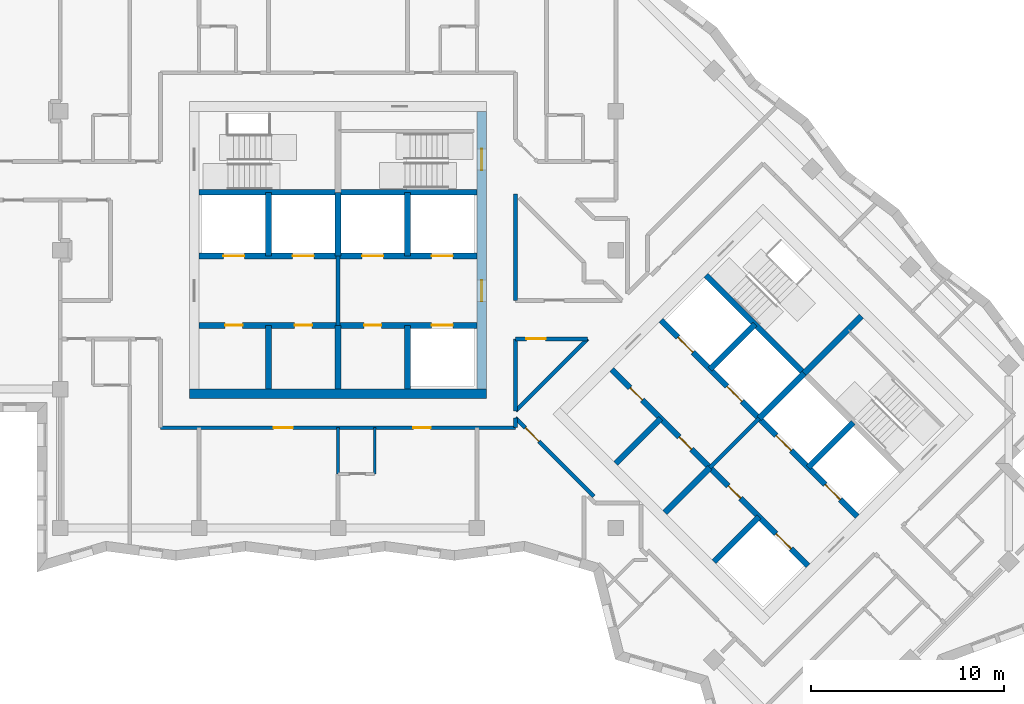
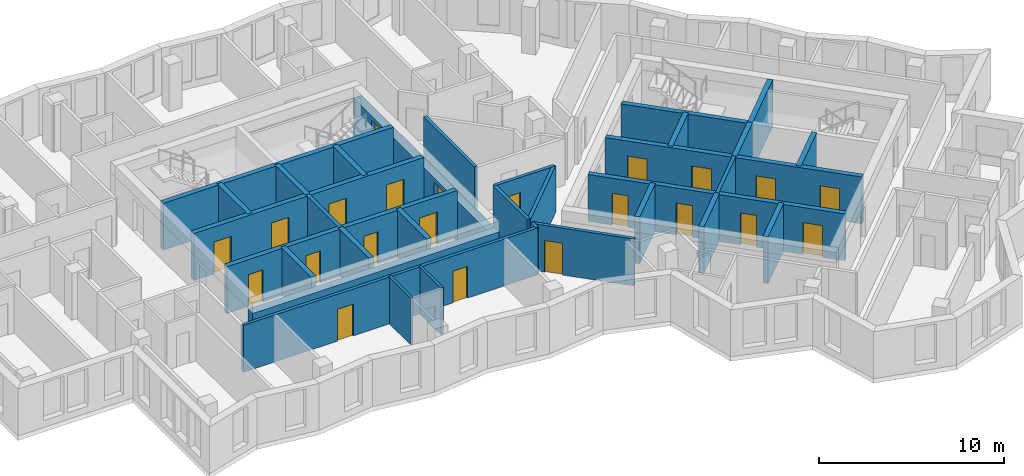
# One storey, part 4 of 12: 33 walls, 22 doors, 22 openings.
"""IFC4 building model written with IfcOpenShell, lengths in metres."""

from ifc_helpers import new_model, si_unit, direction, frame, frame_2d, origin, place, context, subcontext, project, spatial, rectangle, extrude, material, layer, layer_set, type_object, element, fill, save


model = new_model("IFC4")

# Units and contexts
model_context = context("Model", 3, precision=1e-05, world=origin(), true_north=direction((0.0, 1.0)))
body_context = subcontext(model_context, "Body", "Model", "MODEL_VIEW")
ifc_project = project(units=[si_unit("LENGTHUNIT", "METRE"), si_unit("AREAUNIT", "SQUARE_METRE"), si_unit("VOLUMEUNIT", "CUBIC_METRE"), si_unit("PLANEANGLEUNIT", "RADIAN"), si_unit("MASSUNIT", "GRAM", prefix="KILO")], contexts=[model_context])

# Site, building, storey
site_placement = place(None, origin())
site = spatial("IfcSite", under=ifc_project, at=site_placement, CompositionType="ELEMENT")
building_placement = place(site_placement, origin())
building = spatial("IfcBuilding", under=site, at=building_placement, Name="Windrow Commons", CompositionType="ELEMENT")
storey_placement = place(building_placement, frame((0.0, 0.0, 210.0)))
storey = spatial("IfcBuildingStorey", under=building, at=storey_placement, Name="L57", CompositionType="ELEMENT", Elevation=210.0)

# Walls
ifc_material_1 = material(Name="Blockwork partition", Category="masonry")
ifc_layer_1 = layer(ifc_material_1, 0.2)
ifc_layer_set_1 = layer_set([ifc_layer_1], Name="Fire lobby partition 200")
wall_type_1 = type_object("IfcWallType", Name="Fire lobby partition 200", PredefinedType="PARTITIONING", material=ifc_layer_set_1)
for number, where, z_axis, x_axis, name in (
    (1, (64.8, 53.7, 0.0), (0.0, 0.0, 1.0), (0.0, 1.0, 0.0), "W-core-lobby-A-L57"),
    (2, (84.079, 46.332, 0.0), (0.0, 0.0, 1.0), (0.7071067812, 0.7071067812, 0.0), "W-core-lobby-B-L57"),
):
    element("IfcWall", number, at=place(storey_placement, frame(where, z_axis=z_axis, x_axis=x_axis)), inside=storey, type_object=wall_type_1, Name=name, PredefinedType="PARTITIONING", context=body_context, shape_type="SweptSolid", body=[
        extrude(rectangle(XDim=3.6, YDim=0.2, at=frame_2d((1.8, 0.0))), origin(), (0.0, 0.0, 1.0), 3.1),
    ])

# Wall, openings, doors
ifc_material_2 = material(Name="Blockwork partition", Category="masonry")
ifc_layer_2 = layer(ifc_material_2, 0.2)
ifc_layer_set_2 = layer_set([ifc_layer_2], Name="IW-CORRIDOR-200")
wall_type_2 = type_object("IfcWallType", Name="IW-CORRIDOR-200", PredefinedType="PARTITIONING", material=ifc_layer_set_2)
wall_1_placement = place(storey_placement, frame((55.6, 48.4, 0.0), z_axis=(0.0, 0.0, 1.0), x_axis=(1.0, 0.0, 0.0)))
wall_1 = element("IfcWall", 3, at=wall_1_placement, inside=storey, type_object=wall_type_2, Name="W-L57-W000", PredefinedType="PARTITIONING", context=body_context, shape_type="SweptSolid", body=[
    extrude(rectangle(XDim=18.4, YDim=0.2, at=frame_2d((9.2, 0.0))), origin(), (0.0, 0.0, 1.0), 3.1),
])
opening_1_placement = place(wall_1_placement, frame((5.8625, 0.0, 0.0)))
opening_1 = element("IfcOpeningElement", 4, at=opening_1_placement, cuts=wall_1, Name="Opening D310F", PredefinedType="OPENING", context=body_context, shape_type="SweptSolid", body=[
    extrude(rectangle(XDim=1.0, YDim=2.1, at=frame_2d((0.5, 1.05))), frame((0.0, 0.11, 0.0), z_axis=(0.0, -1.0, 0.0), x_axis=(1.0, 0.0, 0.0)), (0.0, 0.0, 1.0), 0.22),
])
opening_2_placement = place(wall_1_placement, frame((13.0994, 0.0, 0.0)))
opening_2 = element("IfcOpeningElement", 5, at=opening_2_placement, cuts=wall_1, Name="Opening D109F", PredefinedType="OPENING", context=body_context, shape_type="SweptSolid", body=[
    extrude(rectangle(XDim=0.9, YDim=2.1, at=frame_2d((0.45, 1.05))), frame((0.0, 0.11, 0.0), z_axis=(0.0, -1.0, 0.0), x_axis=(1.0, 0.0, 0.0)), (0.0, 0.0, 1.0), 0.22),
])
ifc_material_3 = material(Name="Timber door leaf", Category="wood")
door_type_1 = type_object("IfcDoorType", Name="DT-AMENITY-1000", OperationType="SINGLE_SWING_LEFT", PredefinedType="DOOR", material=ifc_material_3)
door_1_placement = place(opening_1_placement, origin())
door_1 = element("IfcDoor", 6, at=door_1_placement, inside=storey, type_object=door_type_1, Name="D-L57-D030", OperationType="SINGLE_SWING_LEFT", OverallHeight=2.1, OverallWidth=1.0, PredefinedType="DOOR", context=body_context, shape_type="SweptSolid", body=[
    extrude(rectangle(XDim=1.0, YDim=2.1, at=frame_2d((0.5, 1.05))), frame((0.0, 0.025, 0.0), z_axis=(0.0, -1.0, 0.0), x_axis=(1.0, 0.0, 0.0)), (0.0, 0.0, 1.0), 0.05),
])
fill(opening_1, door_1)
ifc_material_4 = material(Name="Timber door leaf", Category="wood")
door_type_2 = type_object("IfcDoorType", Name="DT-BEDROOM-900", OperationType="SINGLE_SWING_LEFT", PredefinedType="DOOR", material=ifc_material_4)
door_2_placement = place(opening_2_placement, origin())
door_2 = element("IfcDoor", 7, at=door_2_placement, inside=storey, type_object=door_type_2, Name="D-L57-D031", OperationType="SINGLE_SWING_LEFT", OverallHeight=2.1, OverallWidth=0.9, PredefinedType="DOOR", context=body_context, shape_type="SweptSolid", body=[
    extrude(rectangle(XDim=0.9, YDim=2.1, at=frame_2d((0.45, 1.05))), frame((0.0, 0.025, 0.0), z_axis=(0.0, -1.0, 0.0), x_axis=(1.0, 0.0, 0.0)), (0.0, 0.0, 1.0), 0.05),
])
fill(opening_2, door_2)

# Wall, opening, door
wall_2_placement = place(storey_placement, frame((73.9987, 48.9107, 0.0), z_axis=(0.0, 0.0, 1.0), x_axis=(0.7071067812, -0.7071067812, 0.0)))
wall_2 = element("IfcWall", 8, at=wall_2_placement, inside=storey, type_object=wall_type_2, Name="W-L57-W027", PredefinedType="PARTITIONING", context=body_context, shape_type="SweptSolid", body=[
    extrude(rectangle(XDim=5.7445, YDim=0.2, at=frame_2d((2.8723, 0.0))), origin(), (0.0, 0.0, 1.0), 3.1),
])
opening_3_placement = place(wall_2_placement, frame((0.7238, 0.0, 0.0)))
opening_3 = element("IfcOpeningElement", 9, at=opening_3_placement, cuts=wall_2, Name="Opening D310F", PredefinedType="OPENING", context=body_context, shape_type="SweptSolid", body=[
    extrude(rectangle(XDim=1.0, YDim=2.1, at=frame_2d((0.5, 1.05))), frame((0.0, 0.11, 0.0), z_axis=(0.0, -1.0, 0.0), x_axis=(1.0, 0.0, 0.0)), (0.0, 0.0, 1.0), 0.22),
])
door_3_placement = place(opening_3_placement, origin())
door_3 = element("IfcDoor", 10, at=door_3_placement, inside=storey, type_object=door_type_1, Name="D-L57-D033", OperationType="SINGLE_SWING_LEFT", OverallHeight=2.1, OverallWidth=1.0, PredefinedType="DOOR", context=body_context, shape_type="SweptSolid", body=[
    extrude(rectangle(XDim=1.0, YDim=2.1, at=frame_2d((0.5, 1.05))), frame((0.0, 0.025, 0.0), z_axis=(0.0, -1.0, 0.0), x_axis=(1.0, 0.0, 0.0)), (0.0, 0.0, 1.0), 0.05),
])
fill(opening_3, door_3)

# Walls
wall_3_placement = place(storey_placement, frame((74.0, 55.002, 0.0), z_axis=(0.0, 0.0, 1.0), x_axis=(0.0, 1.0, 0.0)))
element("IfcWall", 11, at=wall_3_placement, inside=storey, type_object=wall_type_2, Name="W-L57-W030", PredefinedType="PARTITIONING", context=body_context, shape_type="SweptSolid", body=[
    extrude(rectangle(XDim=5.508, YDim=0.2, at=frame_2d((2.754, 0.0))), origin(), (0.0, 0.0, 1.0), 3.1),
])
wall_4_placement = place(storey_placement, frame((74.0013, 49.2667, 0.0), z_axis=(0.0, 0.0, 1.0), x_axis=(0.7071067812, 0.7071067812, 0.0)))
element("IfcWall", 12, at=wall_4_placement, inside=storey, type_object=wall_type_2, Name="W-L57-W031", PredefinedType="PARTITIONING", context=body_context, shape_type="SweptSolid", body=[
    extrude(rectangle(XDim=5.2778, YDim=0.2, at=frame_2d((2.6389, 0.0))), origin(), (0.0, 0.0, 1.0), 3.1),
])
wall_5_placement = place(storey_placement, frame((74.0, 49.266, 0.0), z_axis=(0.0, 0.0, 1.0), x_axis=(0.0, 1.0, 0.0)))
element("IfcWall", 13, at=wall_5_placement, inside=storey, type_object=wall_type_2, Name="W-L57-W046", PredefinedType="PARTITIONING", context=body_context, shape_type="SweptSolid", body=[
    extrude(rectangle(XDim=3.734, YDim=0.2, at=frame_2d((1.867, 0.0))), origin(), (0.0, 0.0, 1.0), 3.1),
])

# Wall, opening, door
wall_6_placement = place(storey_placement, frame((74.002, 53.0, 0.0), z_axis=(0.0, 0.0, 1.0), x_axis=(1.0, 0.0, 0.0)))
wall_6 = element("IfcWall", 14, at=wall_6_placement, inside=storey, type_object=wall_type_2, Name="W-L57-W047", PredefinedType="PARTITIONING", context=body_context, shape_type="SweptSolid", body=[
    extrude(rectangle(XDim=3.732, YDim=0.2, at=frame_2d((1.866, 0.0))), origin(), (0.0, 0.0, 1.0), 3.1),
])
opening_4_placement = place(wall_6_placement, frame((0.5641, 0.0, 0.0)))
opening_4 = element("IfcOpeningElement", 15, at=opening_4_placement, cuts=wall_6, Name="Opening D410F", PredefinedType="OPENING", context=body_context, shape_type="SweptSolid", body=[
    extrude(rectangle(XDim=1.0, YDim=2.1, at=frame_2d((0.5, 1.05))), frame((0.0, 0.11, 0.0), z_axis=(0.0, -1.0, 0.0), x_axis=(1.0, 0.0, 0.0)), (0.0, 0.0, 1.0), 0.22),
])
ifc_material_5 = material(Name="Timber door leaf", Category="wood")
door_type_3 = type_object("IfcDoorType", Name="DT-SERVICE-1000", OperationType="SINGLE_SWING_LEFT", PredefinedType="DOOR", material=ifc_material_5)
door_4_placement = place(opening_4_placement, origin())
door_4 = element("IfcDoor", 16, at=door_4_placement, inside=storey, type_object=door_type_3, Name="D-L57-D000", OperationType="SINGLE_SWING_RIGHT", OverallHeight=2.1, OverallWidth=1.0, PredefinedType="DOOR", context=body_context, shape_type="SweptSolid", body=[
    extrude(rectangle(XDim=1.0, YDim=2.1, at=frame_2d((0.5, 1.05))), frame((0.0, 0.025, 0.0), z_axis=(0.0, -1.0, 0.0), x_axis=(1.0, 0.0, 0.0)), (0.0, 0.0, 1.0), 0.05),
])
fill(opening_4, door_4)

# Walls
wall_7_placement = place(storey_placement, frame((74.0, 48.4, 0.0), z_axis=(0.0, 0.0, 1.0), x_axis=(0.0, 1.0, 0.0)))
element("IfcWall", 17, at=wall_7_placement, inside=storey, type_object=wall_type_2, Name="W-L57-W139", PredefinedType="PARTITIONING", context=body_context, shape_type="SweptSolid", body=[
    extrude(rectangle(XDim=0.514, YDim=0.2, at=frame_2d((0.257, 0.0))), origin(), (0.0, 0.0, 1.0), 3.1),
])
ifc_material_6 = material(Name="Blockwork partition", Category="masonry")
ifc_layer_3 = layer(ifc_material_6, 0.15)
ifc_layer_set_3 = layer_set([ifc_layer_3], Name="IW-ENSUITE-150")
wall_type_3 = type_object("IfcWallType", Name="IW-ENSUITE-150", PredefinedType="PARTITIONING", material=ifc_layer_set_3)
for number, where, z_axis, x_axis, name in (
    (18, (66.7, 46.0, 0.0), (0.0, 0.0, 1.0), (0.0, 1.0, 0.0), "W-L57-W071"),
    (19, (64.8, 46.0, 0.0), (0.0, 0.0, 1.0), (0.0, 1.0, 0.0), "W-L57-W072"),
):
    element("IfcWall", number, at=place(storey_placement, frame(where, z_axis=z_axis, x_axis=x_axis)), inside=storey, type_object=wall_type_3, Name=name, PredefinedType="PARTITIONING", context=body_context, shape_type="SweptSolid", body=[
        extrude(rectangle(XDim=2.4, YDim=0.15, at=frame_2d((1.2, 0.0))), origin(), (0.0, 0.0, 1.0), 3.1),
    ])
ifc_material_7 = material(Name="Concrete C40/50", Category="concrete")
ifc_layer_4 = layer(ifc_material_7, 0.5)
ifc_layer_set_4 = layer_set([ifc_layer_4], Name="RC CORE WALL 500 C40/50")
wall_type_4 = type_object("IfcWallType", Name="RC CORE WALL 500 C40/50", PredefinedType="SHEAR", material=ifc_layer_set_4)
wall_8_placement = place(storey_placement, frame((57.1, 50.15, -0.3), z_axis=(0.0, 0.0, 1.0), x_axis=(1.0, 0.0, 0.0)))
element("IfcWall", 20, at=wall_8_placement, inside=storey, type_object=wall_type_4, Name="Core A wall outer-S", PredefinedType="SHEAR", context=body_context, shape_type="SweptSolid", body=[
    extrude(rectangle(XDim=15.4, YDim=0.5, at=frame_2d((7.7, 0.0))), origin(), (0.0, 0.0, 1.0), 2.7),
])

# Wall, openings, doors
wall_9_placement = place(storey_placement, frame((72.25, 50.4, -0.3), z_axis=(0.0, 0.0, 1.0), x_axis=(0.0, 1.0, 0.0)))
wall_9 = element("IfcWall", 21, at=wall_9_placement, inside=storey, type_object=wall_type_4, Name="Core A wall outer-E", PredefinedType="SHEAR", context=body_context, shape_type="SweptSolid", body=[
    extrude(rectangle(XDim=14.4, YDim=0.5, at=frame_2d((7.2, 0.0))), origin(), (0.0, 0.0, 1.0), 2.7),
])
opening_5_placement = place(wall_9_placement, frame((4.55, 0.0, 0.3)))
opening_5 = element("IfcOpeningElement", 22, at=opening_5_placement, cuts=wall_9, Name="Opening D6", PredefinedType="OPENING", context=body_context, shape_type="SweptSolid", body=[
    extrude(rectangle(XDim=1.1, YDim=2.1, at=frame_2d((0.55, 1.05))), frame((0.0, 0.26, 0.0), z_axis=(0.0, -1.0, 0.0), x_axis=(1.0, 0.0, 0.0)), (0.0, 0.0, 1.0), 0.52),
])
opening_6_placement = place(wall_9_placement, frame((11.35, 0.0, 0.3)))
opening_6 = element("IfcOpeningElement", 23, at=opening_6_placement, cuts=wall_9, Name="Opening D7", PredefinedType="OPENING", context=body_context, shape_type="SweptSolid", body=[
    extrude(rectangle(XDim=1.1, YDim=2.1, at=frame_2d((0.55, 1.05))), frame((0.0, 0.26, 0.0), z_axis=(0.0, -1.0, 0.0), x_axis=(1.0, 0.0, 0.0)), (0.0, 0.0, 1.0), 0.52),
])
ifc_material_8 = material(Name="Steel fire door leaf", Category="steel")
door_type_4 = type_object("IfcDoorType", Name="Core lobby door 1100", OperationType="SINGLE_SWING_LEFT", PredefinedType="DOOR", material=ifc_material_8)
door_5_placement = place(opening_5_placement, origin())
door_5 = element("IfcDoor", 24, at=door_5_placement, inside=storey, type_object=door_type_4, Name="Lift lobby door", OperationType="DOUBLE_DOOR_SINGLE_SWING", OverallHeight=2.1, OverallWidth=1.1, PredefinedType="DOOR", context=body_context, shape_type="SweptSolid", body=[
    extrude(rectangle(XDim=1.1, YDim=2.1, at=frame_2d((0.55, 1.05))), frame((0.0, 0.025, 0.0), z_axis=(0.0, -1.0, 0.0), x_axis=(1.0, 0.0, 0.0)), (0.0, 0.0, 1.0), 0.05),
])
fill(opening_5, door_5)
ifc_material_9 = material(Name="Steel fire door leaf", Category="steel")
door_type_5 = type_object("IfcDoorType", Name="Stair door 1100", OperationType="SINGLE_SWING_LEFT", PredefinedType="DOOR", material=ifc_material_9)
door_6_placement = place(opening_6_placement, origin())
door_6 = element("IfcDoor", 25, at=door_6_placement, inside=storey, type_object=door_type_5, Name="Stair door", OperationType="SINGLE_SWING_RIGHT", OverallHeight=2.1, OverallWidth=1.1, PredefinedType="DOOR", context=body_context, shape_type="SweptSolid", body=[
    extrude(rectangle(XDim=1.1, YDim=2.1, at=frame_2d((0.55, 1.05))), frame((0.0, 0.025, 0.0), z_axis=(0.0, -1.0, 0.0), x_axis=(1.0, 0.0, 0.0)), (0.0, 0.0, 1.0), 0.05),
])
fill(opening_6, door_6)

# Walls
ifc_material_10 = material(Name="Concrete C40/50", Category="concrete")
ifc_layer_5 = layer(ifc_material_10, 0.3)
ifc_layer_set_5 = layer_set([ifc_layer_5], Name="RC SHAFT WALL 300 C40/50")
wall_type_5 = type_object("IfcWallType", Name="RC SHAFT WALL 300 C40/50", PredefinedType="SOLIDWALL", material=ifc_layer_set_5)
for number, where, z_axis, x_axis, name in (
    (26, (61.2, 50.4, 0.0), (0.0, 0.0, 1.0), (0.0, 1.0, 0.0), "Core A wall shaft-S1"),
    (27, (61.2, 57.3, 0.0), (0.0, 0.0, 1.0), (0.0, 1.0, 0.0), "Core A wall shaft-N1"),
    (28, (64.8, 50.4, 0.0), (0.0, 0.0, 1.0), (0.0, 1.0, 0.0), "Core A wall shaft-S2"),
    (29, (64.8, 57.3, 0.0), (0.0, 0.0, 1.0), (0.0, 1.0, 0.0), "Core A wall shaft-N2"),
    (30, (68.4, 50.4, 0.0), (0.0, 0.0, 1.0), (0.0, 1.0, 0.0), "Core A wall shaft-S3"),
    (31, (68.4, 57.3, 0.0), (0.0, 0.0, 1.0), (0.0, 1.0, 0.0), "Core A wall shaft-N3"),
):
    element("IfcWall", number, at=place(storey_placement, frame(where, z_axis=z_axis, x_axis=x_axis)), inside=storey, type_object=wall_type_5, Name=name, PredefinedType="SOLIDWALL", context=body_context, shape_type="SweptSolid", body=[
        extrude(rectangle(XDim=3.3, YDim=0.3, at=frame_2d((1.65, 0.0))), origin(), (0.0, 0.0, 1.0), 3.1),
    ])

# Wall, openings, doors
wall_10_placement = place(storey_placement, frame((57.6, 53.7, 0.0), z_axis=(0.0, 0.0, 1.0), x_axis=(1.0, 0.0, 0.0)))
wall_10 = element("IfcWall", 32, at=wall_10_placement, inside=storey, type_object=wall_type_5, Name="Core A wall lobby-S", PredefinedType="SOLIDWALL", context=body_context, shape_type="SweptSolid", body=[
    extrude(rectangle(XDim=14.4, YDim=0.3, at=frame_2d((7.2, 0.0))), origin(), (0.0, 0.0, 1.0), 3.1),
])
opening_7_placement = place(wall_10_placement, frame((1.35, 0.0, 0.0)))
opening_7 = element("IfcOpeningElement", 33, at=opening_7_placement, cuts=wall_10, Name="Opening D8", PredefinedType="OPENING", context=body_context, shape_type="SweptSolid", body=[
    extrude(rectangle(XDim=0.9, YDim=2.1, at=frame_2d((0.45, 1.05))), frame((0.0, 0.16, 0.0), z_axis=(0.0, -1.0, 0.0), x_axis=(1.0, 0.0, 0.0)), (0.0, 0.0, 1.0), 0.32),
])
opening_8_placement = place(wall_10_placement, frame((4.95, 0.0, 0.0)))
opening_8 = element("IfcOpeningElement", 34, at=opening_8_placement, cuts=wall_10, Name="Opening D8", PredefinedType="OPENING", context=body_context, shape_type="SweptSolid", body=[
    extrude(rectangle(XDim=0.9, YDim=2.1, at=frame_2d((0.45, 1.05))), frame((0.0, 0.16, 0.0), z_axis=(0.0, -1.0, 0.0), x_axis=(1.0, 0.0, 0.0)), (0.0, 0.0, 1.0), 0.32),
])
opening_9_placement = place(wall_10_placement, frame((8.55, 0.0, 0.0)))
opening_9 = element("IfcOpeningElement", 35, at=opening_9_placement, cuts=wall_10, Name="Opening D8", PredefinedType="OPENING", context=body_context, shape_type="SweptSolid", body=[
    extrude(rectangle(XDim=0.9, YDim=2.1, at=frame_2d((0.45, 1.05))), frame((0.0, 0.16, 0.0), z_axis=(0.0, -1.0, 0.0), x_axis=(1.0, 0.0, 0.0)), (0.0, 0.0, 1.0), 0.32),
])
opening_10_placement = place(wall_10_placement, frame((12.05, 0.0, 0.0)))
opening_10 = element("IfcOpeningElement", 36, at=opening_10_placement, cuts=wall_10, Name="Opening LD", PredefinedType="OPENING", context=body_context, shape_type="SweptSolid", body=[
    extrude(rectangle(XDim=1.1, YDim=2.1, at=frame_2d((0.55, 1.05))), frame((0.0, 0.16, 0.0), z_axis=(0.0, -1.0, 0.0), x_axis=(1.0, 0.0, 0.0)), (0.0, 0.0, 1.0), 0.32),
])
ifc_material_11 = material(Name="Steel fire door leaf", Category="steel")
door_type_6 = type_object("IfcDoorType", Name="Core store door 900", OperationType="SINGLE_SWING_LEFT", PredefinedType="DOOR", material=ifc_material_11)
door_7_placement = place(opening_7_placement, origin())
door_7 = element("IfcDoor", 37, at=door_7_placement, inside=storey, type_object=door_type_6, Name="Store door", OperationType="SINGLE_SWING_LEFT", OverallHeight=2.1, OverallWidth=0.9, PredefinedType="DOOR", context=body_context, shape_type="SweptSolid", body=[
    extrude(rectangle(XDim=0.9, YDim=2.1, at=frame_2d((0.45, 1.05))), frame((0.0, 0.025, 0.0), z_axis=(0.0, -1.0, 0.0), x_axis=(1.0, 0.0, 0.0)), (0.0, 0.0, 1.0), 0.05),
])
fill(opening_7, door_7)
door_8_placement = place(opening_8_placement, origin())
door_8 = element("IfcDoor", 38, at=door_8_placement, inside=storey, type_object=door_type_6, Name="Store door", OperationType="SINGLE_SWING_LEFT", OverallHeight=2.1, OverallWidth=0.9, PredefinedType="DOOR", context=body_context, shape_type="SweptSolid", body=[
    extrude(rectangle(XDim=0.9, YDim=2.1, at=frame_2d((0.45, 1.05))), frame((0.0, 0.025, 0.0), z_axis=(0.0, -1.0, 0.0), x_axis=(1.0, 0.0, 0.0)), (0.0, 0.0, 1.0), 0.05),
])
fill(opening_8, door_8)
door_9_placement = place(opening_9_placement, origin())
door_9 = element("IfcDoor", 39, at=door_9_placement, inside=storey, type_object=door_type_6, Name="Store door", OperationType="SINGLE_SWING_LEFT", OverallHeight=2.1, OverallWidth=0.9, PredefinedType="DOOR", context=body_context, shape_type="SweptSolid", body=[
    extrude(rectangle(XDim=0.9, YDim=2.1, at=frame_2d((0.45, 1.05))), frame((0.0, 0.025, 0.0), z_axis=(0.0, -1.0, 0.0), x_axis=(1.0, 0.0, 0.0)), (0.0, 0.0, 1.0), 0.05),
])
fill(opening_9, door_9)
ifc_material_12 = material(Name="Stainless steel door leaf", Category="steel")
door_type_7 = type_object("IfcDoorType", Name="Lift landing door 1100", OperationType="SLIDING_TO_LEFT", PredefinedType="DOOR", material=ifc_material_12)
door_10_placement = place(opening_10_placement, origin())
door_10 = element("IfcDoor", 40, at=door_10_placement, inside=storey, type_object=door_type_7, Name="Lift landing door", OperationType="SLIDING_TO_RIGHT", OverallHeight=2.1, OverallWidth=1.1, PredefinedType="DOOR", context=body_context, shape_type="SweptSolid", body=[
    extrude(rectangle(XDim=1.1, YDim=2.1, at=frame_2d((0.55, 1.05))), frame((0.0, 0.025, 0.0), z_axis=(0.0, -1.0, 0.0), x_axis=(1.0, 0.0, 0.0)), (0.0, 0.0, 1.0), 0.05),
])
fill(opening_10, door_10)

wall_11_placement = place(storey_placement, frame((57.6, 57.3, 0.0), z_axis=(0.0, 0.0, 1.0), x_axis=(1.0, 0.0, 0.0)))
wall_11 = element("IfcWall", 41, at=wall_11_placement, inside=storey, type_object=wall_type_5, Name="Core A wall lobby-N", PredefinedType="SOLIDWALL", context=body_context, shape_type="SweptSolid", body=[
    extrude(rectangle(XDim=14.4, YDim=0.3, at=frame_2d((7.2, 0.0))), origin(), (0.0, 0.0, 1.0), 3.1),
])
opening_11_placement = place(wall_11_placement, frame((1.25, 0.0, 0.0)))
opening_11 = element("IfcOpeningElement", 42, at=opening_11_placement, cuts=wall_11, Name="Opening LD", PredefinedType="OPENING", context=body_context, shape_type="SweptSolid", body=[
    extrude(rectangle(XDim=1.1, YDim=2.1, at=frame_2d((0.55, 1.05))), frame((0.0, 0.16, 0.0), z_axis=(0.0, -1.0, 0.0), x_axis=(1.0, 0.0, 0.0)), (0.0, 0.0, 1.0), 0.32),
])
opening_12_placement = place(wall_11_placement, frame((4.85, 0.0, 0.0)))
opening_12 = element("IfcOpeningElement", 43, at=opening_12_placement, cuts=wall_11, Name="Opening LD", PredefinedType="OPENING", context=body_context, shape_type="SweptSolid", body=[
    extrude(rectangle(XDim=1.1, YDim=2.1, at=frame_2d((0.55, 1.05))), frame((0.0, 0.16, 0.0), z_axis=(0.0, -1.0, 0.0), x_axis=(1.0, 0.0, 0.0)), (0.0, 0.0, 1.0), 0.32),
])
opening_13_placement = place(wall_11_placement, frame((8.45, 0.0, 0.0)))
opening_13 = element("IfcOpeningElement", 44, at=opening_13_placement, cuts=wall_11, Name="Opening LD", PredefinedType="OPENING", context=body_context, shape_type="SweptSolid", body=[
    extrude(rectangle(XDim=1.1, YDim=2.1, at=frame_2d((0.55, 1.05))), frame((0.0, 0.16, 0.0), z_axis=(0.0, -1.0, 0.0), x_axis=(1.0, 0.0, 0.0)), (0.0, 0.0, 1.0), 0.32),
])
opening_14_placement = place(wall_11_placement, frame((12.05, 0.0, 0.0)))
opening_14 = element("IfcOpeningElement", 45, at=opening_14_placement, cuts=wall_11, Name="Opening LD", PredefinedType="OPENING", context=body_context, shape_type="SweptSolid", body=[
    extrude(rectangle(XDim=1.1, YDim=2.1, at=frame_2d((0.55, 1.05))), frame((0.0, 0.16, 0.0), z_axis=(0.0, -1.0, 0.0), x_axis=(1.0, 0.0, 0.0)), (0.0, 0.0, 1.0), 0.32),
])
door_11_placement = place(opening_11_placement, origin())
door_11 = element("IfcDoor", 46, at=door_11_placement, inside=storey, type_object=door_type_7, Name="Lift landing door", OperationType="SLIDING_TO_LEFT", OverallHeight=2.1, OverallWidth=1.1, PredefinedType="DOOR", context=body_context, shape_type="SweptSolid", body=[
    extrude(rectangle(XDim=1.1, YDim=2.1, at=frame_2d((0.55, 1.05))), frame((0.0, 0.025, 0.0), z_axis=(0.0, -1.0, 0.0), x_axis=(1.0, 0.0, 0.0)), (0.0, 0.0, 1.0), 0.05),
])
fill(opening_11, door_11)
door_12_placement = place(opening_12_placement, origin())
door_12 = element("IfcDoor", 47, at=door_12_placement, inside=storey, type_object=door_type_7, Name="Lift landing door", OperationType="SLIDING_TO_RIGHT", OverallHeight=2.1, OverallWidth=1.1, PredefinedType="DOOR", context=body_context, shape_type="SweptSolid", body=[
    extrude(rectangle(XDim=1.1, YDim=2.1, at=frame_2d((0.55, 1.05))), frame((0.0, 0.025, 0.0), z_axis=(0.0, -1.0, 0.0), x_axis=(1.0, 0.0, 0.0)), (0.0, 0.0, 1.0), 0.05),
])
fill(opening_12, door_12)
door_13_placement = place(opening_13_placement, origin())
door_13 = element("IfcDoor", 48, at=door_13_placement, inside=storey, type_object=door_type_7, Name="Lift landing door", OperationType="SLIDING_TO_LEFT", OverallHeight=2.1, OverallWidth=1.1, PredefinedType="DOOR", context=body_context, shape_type="SweptSolid", body=[
    extrude(rectangle(XDim=1.1, YDim=2.1, at=frame_2d((0.55, 1.05))), frame((0.0, 0.025, 0.0), z_axis=(0.0, -1.0, 0.0), x_axis=(1.0, 0.0, 0.0)), (0.0, 0.0, 1.0), 0.05),
])
fill(opening_13, door_13)
door_14_placement = place(opening_14_placement, origin())
door_14 = element("IfcDoor", 49, at=door_14_placement, inside=storey, type_object=door_type_7, Name="Lift landing door", OperationType="SLIDING_TO_RIGHT", OverallHeight=2.1, OverallWidth=1.1, PredefinedType="DOOR", context=body_context, shape_type="SweptSolid", body=[
    extrude(rectangle(XDim=1.1, YDim=2.1, at=frame_2d((0.55, 1.05))), frame((0.0, 0.025, 0.0), z_axis=(0.0, -1.0, 0.0), x_axis=(1.0, 0.0, 0.0)), (0.0, 0.0, 1.0), 0.05),
])
fill(opening_14, door_14)

# Walls
for number, where, z_axis, x_axis, name in (
    (50, (57.6, 60.6, 0.0), (0.0, 0.0, 1.0), (1.0, 0.0, 0.0), "Core A wall stair-S"),
    (51, (64.8, 60.6, 0.0), (0.0, 0.0, 1.0), (1.0, 0.0, 0.0), "Core A wall stair-S2"),
):
    element("IfcWall", number, at=place(storey_placement, frame(where, z_axis=z_axis, x_axis=x_axis)), inside=storey, type_object=wall_type_5, Name=name, PredefinedType="SOLIDWALL", context=body_context, shape_type="SweptSolid", body=[
        extrude(rectangle(XDim=7.2, YDim=0.3, at=frame_2d((3.6, 0.0))), origin(), (0.0, 0.0, 1.0), 3.1),
    ])
for number, where, z_axis, x_axis, name in (
    (52, (79.2, 46.5442, 0.0), (0.0, 0.0, 1.0), (0.7071219326, 0.7070916295, 0.0), "Core B wall shaft-S1"),
    (53, (84.079, 51.4232, 0.0), (0.0, 0.0, 1.0), (0.7071219326, 0.7070916295, 0.0), "Core B wall shaft-N1"),
):
    element("IfcWall", number, at=place(storey_placement, frame(where, z_axis=z_axis, x_axis=x_axis)), inside=storey, type_object=wall_type_5, Name=name, PredefinedType="SOLIDWALL", context=body_context, shape_type="SweptSolid", body=[
        extrude(rectangle(XDim=3.3, YDim=0.3, at=frame_2d((1.65, 0.0))), origin(), (0.0, 0.0, 1.0), 3.1),
    ])
wall_12_placement = place(storey_placement, frame((81.7456, 43.9986, 0.0), z_axis=(0.0, 0.0, 1.0), x_axis=(0.7071067812, 0.7071067812, 0.0)))
element("IfcWall", 54, at=wall_12_placement, inside=storey, type_object=wall_type_5, Name="Core B wall shaft-S2", PredefinedType="SOLIDWALL", context=body_context, shape_type="SweptSolid", body=[
    extrude(rectangle(XDim=3.2999, YDim=0.3, at=frame_2d((1.65, 0.0))), origin(), (0.0, 0.0, 1.0), 3.1),
])
wall_13_placement = place(storey_placement, frame((86.6246, 48.8776, 0.0), z_axis=(0.0, 0.0, 1.0), x_axis=(0.7071067812, 0.7071067812, 0.0)))
element("IfcWall", 55, at=wall_13_placement, inside=storey, type_object=wall_type_5, Name="Core B wall shaft-N2", PredefinedType="SOLIDWALL", context=body_context, shape_type="SweptSolid", body=[
    extrude(rectangle(XDim=3.3001, YDim=0.3, at=frame_2d((1.6501, 0.0))), origin(), (0.0, 0.0, 1.0), 3.1),
])
wall_14_placement = place(storey_placement, frame((84.2912, 41.453, 0.0), z_axis=(0.0, 0.0, 1.0), x_axis=(0.7071067812, 0.7071067812, 0.0)))
element("IfcWall", 56, at=wall_14_placement, inside=storey, type_object=wall_type_5, Name="Core B wall shaft-S3", PredefinedType="SOLIDWALL", context=body_context, shape_type="SweptSolid", body=[
    extrude(rectangle(XDim=3.2999, YDim=0.3, at=frame_2d((1.65, 0.0))), origin(), (0.0, 0.0, 1.0), 3.1),
])
wall_15_placement = place(storey_placement, frame((89.1702, 46.332, 0.0), z_axis=(0.0, 0.0, 1.0), x_axis=(0.7071067812, 0.7071067812, 0.0)))
element("IfcWall", 57, at=wall_15_placement, inside=storey, type_object=wall_type_5, Name="Core B wall shaft-N3", PredefinedType="SOLIDWALL", context=body_context, shape_type="SweptSolid", body=[
    extrude(rectangle(XDim=3.3001, YDim=0.3, at=frame_2d((1.6501, 0.0))), origin(), (0.0, 0.0, 1.0), 3.1),
])

# Wall, openings, doors
wall_16_placement = place(storey_placement, frame((78.9879, 51.4232, 0.0), z_axis=(0.0, 0.0, 1.0), x_axis=(0.7071067812, -0.7071067812, 0.0)))
wall_16 = element("IfcWall", 58, at=wall_16_placement, inside=storey, type_object=wall_type_5, Name="Core B wall lobby-S", PredefinedType="SOLIDWALL", context=body_context, shape_type="SweptSolid", body=[
    extrude(rectangle(XDim=14.3999, YDim=0.3, at=frame_2d((7.2, 0.0))), origin(), (0.0, 0.0, 1.0), 3.1),
])
opening_15_placement = place(wall_16_placement, frame((1.35, 0.0, 0.0)))
opening_15 = element("IfcOpeningElement", 59, at=opening_15_placement, cuts=wall_16, Name="Opening D8", PredefinedType="OPENING", context=body_context, shape_type="SweptSolid", body=[
    extrude(rectangle(XDim=0.9, YDim=2.1, at=frame_2d((0.45, 1.05))), frame((0.0, 0.16, 0.0), z_axis=(0.0, -1.0, 0.0), x_axis=(1.0, 0.0, 0.0)), (0.0, 0.0, 1.0), 0.32),
])
opening_16_placement = place(wall_16_placement, frame((4.95, 0.0, 0.0)))
opening_16 = element("IfcOpeningElement", 60, at=opening_16_placement, cuts=wall_16, Name="Opening D8", PredefinedType="OPENING", context=body_context, shape_type="SweptSolid", body=[
    extrude(rectangle(XDim=0.9, YDim=2.1, at=frame_2d((0.45, 1.05))), frame((0.0, 0.16, 0.0), z_axis=(0.0, -1.0, 0.0), x_axis=(1.0, 0.0, 0.0)), (0.0, 0.0, 1.0), 0.32),
])
opening_17_placement = place(wall_16_placement, frame((8.55, 0.0, 0.0)))
opening_17 = element("IfcOpeningElement", 61, at=opening_17_placement, cuts=wall_16, Name="Opening D8", PredefinedType="OPENING", context=body_context, shape_type="SweptSolid", body=[
    extrude(rectangle(XDim=0.9, YDim=2.1, at=frame_2d((0.45, 1.05))), frame((0.0, 0.16, 0.0), z_axis=(0.0, -1.0, 0.0), x_axis=(1.0, 0.0, 0.0)), (0.0, 0.0, 1.0), 0.32),
])
opening_18_placement = place(wall_16_placement, frame((12.05, 0.0, 0.0)))
opening_18 = element("IfcOpeningElement", 62, at=opening_18_placement, cuts=wall_16, Name="Opening LD", PredefinedType="OPENING", context=body_context, shape_type="SweptSolid", body=[
    extrude(rectangle(XDim=1.1, YDim=2.1, at=frame_2d((0.55, 1.05))), frame((0.0, 0.16, 0.0), z_axis=(0.0, -1.0, 0.0), x_axis=(1.0, 0.0, 0.0)), (0.0, 0.0, 1.0), 0.32),
])
door_15_placement = place(opening_15_placement, origin())
door_15 = element("IfcDoor", 63, at=door_15_placement, inside=storey, type_object=door_type_6, Name="Store door", OperationType="SINGLE_SWING_LEFT", OverallHeight=2.1, OverallWidth=0.9, PredefinedType="DOOR", context=body_context, shape_type="SweptSolid", body=[
    extrude(rectangle(XDim=0.9, YDim=2.1, at=frame_2d((0.45, 1.05))), frame((0.0, 0.025, 0.0), z_axis=(0.0, -1.0, 0.0), x_axis=(1.0, 0.0, 0.0)), (0.0, 0.0, 1.0), 0.05),
])
fill(opening_15, door_15)
door_16_placement = place(opening_16_placement, origin())
door_16 = element("IfcDoor", 64, at=door_16_placement, inside=storey, type_object=door_type_6, Name="Store door", OperationType="SINGLE_SWING_LEFT", OverallHeight=2.1, OverallWidth=0.9, PredefinedType="DOOR", context=body_context, shape_type="SweptSolid", body=[
    extrude(rectangle(XDim=0.9, YDim=2.1, at=frame_2d((0.45, 1.05))), frame((0.0, 0.025, 0.0), z_axis=(0.0, -1.0, 0.0), x_axis=(1.0, 0.0, 0.0)), (0.0, 0.0, 1.0), 0.05),
])
fill(opening_16, door_16)
door_17_placement = place(opening_17_placement, origin())
door_17 = element("IfcDoor", 65, at=door_17_placement, inside=storey, type_object=door_type_6, Name="Store door", OperationType="SINGLE_SWING_LEFT", OverallHeight=2.1, OverallWidth=0.9, PredefinedType="DOOR", context=body_context, shape_type="SweptSolid", body=[
    extrude(rectangle(XDim=0.9, YDim=2.1, at=frame_2d((0.45, 1.05))), frame((0.0, 0.025, 0.0), z_axis=(0.0, -1.0, 0.0), x_axis=(1.0, 0.0, 0.0)), (0.0, 0.0, 1.0), 0.05),
])
fill(opening_17, door_17)
door_18_placement = place(opening_18_placement, origin())
door_18 = element("IfcDoor", 66, at=door_18_placement, inside=storey, type_object=door_type_7, Name="Lift landing door", OperationType="SLIDING_TO_RIGHT", OverallHeight=2.1, OverallWidth=1.1, PredefinedType="DOOR", context=body_context, shape_type="SweptSolid", body=[
    extrude(rectangle(XDim=1.1, YDim=2.1, at=frame_2d((0.55, 1.05))), frame((0.0, 0.025, 0.0), z_axis=(0.0, -1.0, 0.0), x_axis=(1.0, 0.0, 0.0)), (0.0, 0.0, 1.0), 0.05),
])
fill(opening_18, door_18)

wall_17_placement = place(storey_placement, frame((81.5335, 53.9688, 0.0), z_axis=(0.0, 0.0, 1.0), x_axis=(0.707103309, -0.7071102534, 0.0)))
wall_17 = element("IfcWall", 67, at=wall_17_placement, inside=storey, type_object=wall_type_5, Name="Core B wall lobby-N", PredefinedType="SOLIDWALL", context=body_context, shape_type="SweptSolid", body=[
    extrude(rectangle(XDim=14.4, YDim=0.3, at=frame_2d((7.2, 0.0))), origin(), (0.0, 0.0, 1.0), 3.1),
])
opening_19_placement = place(wall_17_placement, frame((1.25, 0.0, 0.0)))
opening_19 = element("IfcOpeningElement", 68, at=opening_19_placement, cuts=wall_17, Name="Opening LD", PredefinedType="OPENING", context=body_context, shape_type="SweptSolid", body=[
    extrude(rectangle(XDim=1.1, YDim=2.1, at=frame_2d((0.55, 1.05))), frame((0.0, 0.16, 0.0), z_axis=(0.0, -1.0, 0.0), x_axis=(1.0, 0.0, 0.0)), (0.0, 0.0, 1.0), 0.32),
])
opening_20_placement = place(wall_17_placement, frame((4.85, 0.0, 0.0)))
opening_20 = element("IfcOpeningElement", 69, at=opening_20_placement, cuts=wall_17, Name="Opening LD", PredefinedType="OPENING", context=body_context, shape_type="SweptSolid", body=[
    extrude(rectangle(XDim=1.1, YDim=2.1, at=frame_2d((0.55, 1.05))), frame((0.0, 0.16, 0.0), z_axis=(0.0, -1.0, 0.0), x_axis=(1.0, 0.0, 0.0)), (0.0, 0.0, 1.0), 0.32),
])
opening_21_placement = place(wall_17_placement, frame((8.45, 0.0, 0.0)))
opening_21 = element("IfcOpeningElement", 70, at=opening_21_placement, cuts=wall_17, Name="Opening LD", PredefinedType="OPENING", context=body_context, shape_type="SweptSolid", body=[
    extrude(rectangle(XDim=1.1, YDim=2.1, at=frame_2d((0.55, 1.05))), frame((0.0, 0.16, 0.0), z_axis=(0.0, -1.0, 0.0), x_axis=(1.0, 0.0, 0.0)), (0.0, 0.0, 1.0), 0.32),
])
opening_22_placement = place(wall_17_placement, frame((12.05, 0.0, 0.0)))
opening_22 = element("IfcOpeningElement", 71, at=opening_22_placement, cuts=wall_17, Name="Opening LD", PredefinedType="OPENING", context=body_context, shape_type="SweptSolid", body=[
    extrude(rectangle(XDim=1.1, YDim=2.1, at=frame_2d((0.55, 1.05))), frame((0.0, 0.16, 0.0), z_axis=(0.0, -1.0, 0.0), x_axis=(1.0, 0.0, 0.0)), (0.0, 0.0, 1.0), 0.32),
])
door_19_placement = place(opening_19_placement, origin())
door_19 = element("IfcDoor", 72, at=door_19_placement, inside=storey, type_object=door_type_7, Name="Lift landing door", OperationType="SLIDING_TO_LEFT", OverallHeight=2.1, OverallWidth=1.1, PredefinedType="DOOR", context=body_context, shape_type="SweptSolid", body=[
    extrude(rectangle(XDim=1.1, YDim=2.1, at=frame_2d((0.55, 1.05))), frame((0.0, 0.025, 0.0), z_axis=(0.0, -1.0, 0.0), x_axis=(1.0, 0.0, 0.0)), (0.0, 0.0, 1.0), 0.05),
])
fill(opening_19, door_19)
door_20_placement = place(opening_20_placement, origin())
door_20 = element("IfcDoor", 73, at=door_20_placement, inside=storey, type_object=door_type_7, Name="Lift landing door", OperationType="SLIDING_TO_RIGHT", OverallHeight=2.1, OverallWidth=1.1, PredefinedType="DOOR", context=body_context, shape_type="SweptSolid", body=[
    extrude(rectangle(XDim=1.1, YDim=2.1, at=frame_2d((0.55, 1.05))), frame((0.0, 0.025, 0.0), z_axis=(0.0, -1.0, 0.0), x_axis=(1.0, 0.0, 0.0)), (0.0, 0.0, 1.0), 0.05),
])
fill(opening_20, door_20)
door_21_placement = place(opening_21_placement, origin())
door_21 = element("IfcDoor", 74, at=door_21_placement, inside=storey, type_object=door_type_7, Name="Lift landing door", OperationType="SLIDING_TO_LEFT", OverallHeight=2.1, OverallWidth=1.1, PredefinedType="DOOR", context=body_context, shape_type="SweptSolid", body=[
    extrude(rectangle(XDim=1.1, YDim=2.1, at=frame_2d((0.55, 1.05))), frame((0.0, 0.025, 0.0), z_axis=(0.0, -1.0, 0.0), x_axis=(1.0, 0.0, 0.0)), (0.0, 0.0, 1.0), 0.05),
])
fill(opening_21, door_21)
door_22_placement = place(opening_22_placement, origin())
door_22 = element("IfcDoor", 75, at=door_22_placement, inside=storey, type_object=door_type_7, Name="Lift landing door", OperationType="SLIDING_TO_RIGHT", OverallHeight=2.1, OverallWidth=1.1, PredefinedType="DOOR", context=body_context, shape_type="SweptSolid", body=[
    extrude(rectangle(XDim=1.1, YDim=2.1, at=frame_2d((0.55, 1.05))), frame((0.0, 0.025, 0.0), z_axis=(0.0, -1.0, 0.0), x_axis=(1.0, 0.0, 0.0)), (0.0, 0.0, 1.0), 0.05),
])
fill(opening_22, door_22)

# Walls
wall_18_placement = place(storey_placement, frame((83.8669, 56.3022, 0.0), z_axis=(0.0, 0.0, 1.0), x_axis=(0.7071137256, -0.7070998367, 0.0)))
element("IfcWall", 76, at=wall_18_placement, inside=storey, type_object=wall_type_5, Name="Core B wall stair-S", PredefinedType="SOLIDWALL", context=body_context, shape_type="SweptSolid", body=[
    extrude(rectangle(XDim=7.2, YDim=0.3, at=frame_2d((3.6, 0.0))), origin(), (0.0, 0.0, 1.0), 3.1),
])
wall_19_placement = place(storey_placement, frame((88.9581, 51.2111, 0.0), z_axis=(0.0, 0.0, 1.0), x_axis=(0.7071067812, 0.7071067812, 0.0)))
element("IfcWall", 77, at=wall_19_placement, inside=storey, type_object=wall_type_5, Name="Core B wall stair-mid", PredefinedType="SOLIDWALL", context=body_context, shape_type="SweptSolid", body=[
    extrude(rectangle(XDim=4.1999, YDim=0.3, at=frame_2d((2.1, 0.0))), origin(), (0.0, 0.0, 1.0), 3.1),
])

save(model, "model.ifc")
